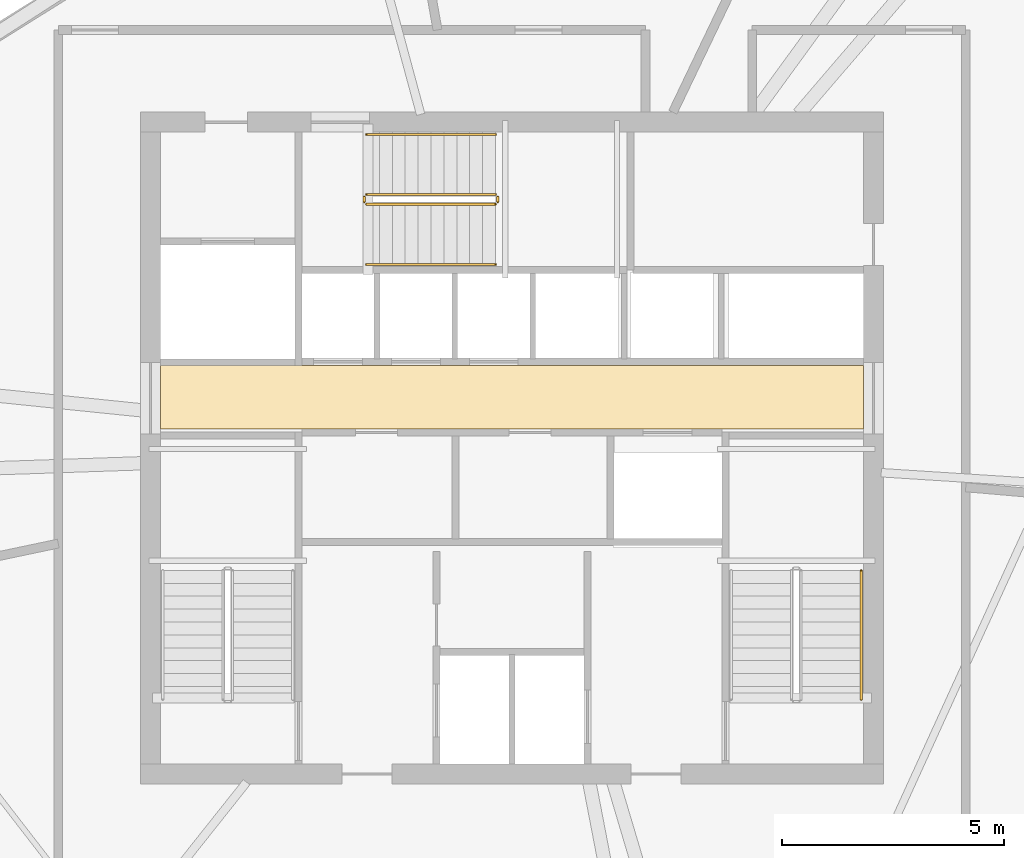
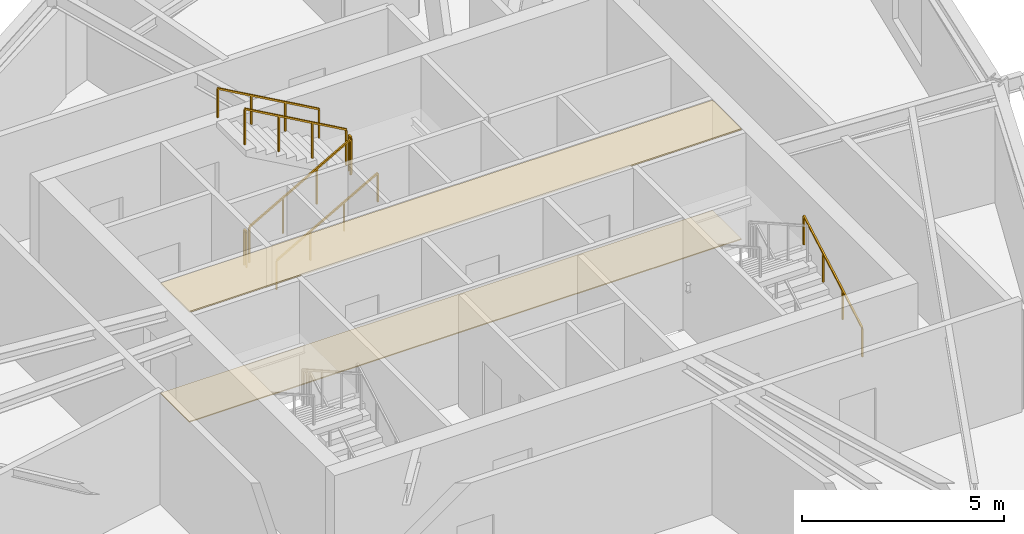
# One storey, part 12 of 13: 7 railings, 2 coverings.
"""IFC4 building model written with IfcOpenShell, lengths in metres."""

from ifc_helpers import new_model, si_unit, direction, frame, origin, origin_2d, place, context, subcontext, project, spatial, polyline, rectangle, outline, extrude, material, layer, layer_set, type_object, element, save


model = new_model("IFC4")

# Units and contexts
model_context = context("Model", 3, precision=1e-05, world=origin(), true_north=direction((0.0, 1.0)))
body_context = subcontext(model_context, "Body", "Model", "MODEL_VIEW")
ifc_project = project(units=[si_unit("LENGTHUNIT", "METRE"), si_unit("AREAUNIT", "SQUARE_METRE"), si_unit("VOLUMEUNIT", "CUBIC_METRE"), si_unit("PLANEANGLEUNIT", "RADIAN"), si_unit("MASSUNIT", "GRAM", prefix="KILO")], contexts=[model_context])

# Site, building, storey
site_placement = place(None, origin())
site = spatial("IfcSite", under=ifc_project, at=site_placement, CompositionType="ELEMENT")
building_placement = place(site_placement, origin())
building = spatial("IfcBuilding", under=site, at=building_placement, Name="Olszyna Solenne Hotel", CompositionType="ELEMENT")
storey_placement = place(building_placement, frame((0.0, 0.0, 241.699951171875)))
storey = spatial("IfcBuildingStorey", under=building, at=storey_placement, Name="L64", CompositionType="ELEMENT", Elevation=241.699951171875)

# Coverings
ifc_material_1 = material(Name="Mineral wool acoustic ceiling")
ifc_layer_1 = layer(ifc_material_1, 0.0400390625, Name="Mineral wool acoustic ceiling")
ifc_layer_set_1 = layer_set([ifc_layer_1], Name="Mineral wool acoustic ceiling")
covering_type_1 = type_object("IfcCoveringType", Name="CL-AC1", PredefinedType="CEILING", material=ifc_layer_set_1)
covering_1_placement = place(storey_placement, frame((0.0, 0.0, 3.320068359375)))
element("IfcCovering", 1, at=covering_1_placement, inside=storey, type_object=covering_type_1, Name="Lift lobby acoustic tile ceiling CL-L64-01", PredefinedType="CEILING", context=body_context, shape_type="SweptSolid", body=[
    extrude(outline(polyline([(30.10009765625, 27.030029296875), (45.89990234375, 27.030029296875), (45.89990234375, 28.4599609375), (30.10009765625, 28.4599609375), (30.10009765625, 27.030029296875)])), origin(), (0.0, 0.0, 1.0), 0.0400390625),
])
ifc_material_2 = material(Name="Ceramic floor tile")
ifc_layer_2 = layer(ifc_material_2, 0.030029296875, Name="Ceramic floor tile")
ifc_layer_set_2 = layer_set([ifc_layer_2], Name="Ceramic floor tile")
covering_type_2 = type_object("IfcCoveringType", Name="FL-TL1", PredefinedType="FLOORING", material=ifc_layer_set_2)
covering_2_placement = place(storey_placement, origin())
element("IfcCovering", 2, at=covering_2_placement, inside=storey, type_object=covering_type_2, Name="Lift lobby stoneware floor finish FLR-L64-01", PredefinedType="FLOORING", context=body_context, shape_type="SweptSolid", body=[
    extrude(outline(polyline([(30.10009765625, 27.030029296875), (45.89990234375, 27.030029296875), (45.89990234375, 28.4599609375), (30.10009765625, 28.4599609375), (30.10009765625, 27.030029296875)])), origin(), (0.0, 0.0, 1.0), 0.030029296875),
])

# Railings
ifc_material_3 = material(Name="Anodised bronze aluminium", Category="aluminium")
railing_type_1 = type_object("IfcRailingType", Name="GR-110", PredefinedType="BALUSTRADE", material=ifc_material_3)
railing_1_placement = place(storey_placement, frame((34.72998046875, 32.080078125, 0.16357421875)))
element("IfcRailing", 3, at=railing_1_placement, inside=storey, type_object=railing_type_1, Name="L64 ST3 stair guard 1", PredefinedType="BALUSTRADE", context=body_context, shape_type="SweptSolid", body=[
    extrude(rectangle(XDim=0.048095703125, YDim=0.048095703125, at=origin_2d()), frame((0.0, 0.0, 1.076171875), z_axis=(0.870897200241, 0.0, 0.491465224214), x_axis=(0.0, 1.0, 0.0)), (0.0, 0.0, 1.0), 3.329833984375),
    extrude(rectangle(XDim=0.0419921875, YDim=0.0419921875, at=origin_2d()), origin(), (0.0, 0.0, 1.0), 1.052001953125),
    extrude(rectangle(XDim=0.0419921875, YDim=0.0419921875, at=origin_2d()), frame((0.966552734375, 0.0, 0.54541015625)), (0.0, 0.0, 1.0), 1.052001953125),
    extrude(rectangle(XDim=0.0419921875, YDim=0.0419921875, at=origin_2d()), frame((1.933349609375, 0.0, 1.091064453125)), (0.0, 0.0, 1.0), 1.052001953125),
    extrude(rectangle(XDim=0.0419921875, YDim=0.0419921875, at=origin_2d()), frame((2.89990234375, 0.0, 1.636474609375)), (0.0, 0.0, 1.0), 1.052001953125),
])
railing_2_placement = place(storey_placement, frame((37.679931640625, 32.1298828125, 1.800048828125)))
element("IfcRailing", 4, at=railing_2_placement, inside=storey, type_object=railing_type_1, Name="L64 ST3 stair guard 2", PredefinedType="BALUSTRADE", context=body_context, shape_type="SweptSolid", body=[
    extrude(rectangle(XDim=0.048095703125, YDim=0.048095703125, at=origin_2d()), frame((0.0, 0.0, 1.076171875), z_axis=(0.0, 1.0, 0.0), x_axis=(-1.0, 0.0, 0.0)), (0.0, 0.0, 1.0), 0.1201171875),
    extrude(rectangle(XDim=0.0419921875, YDim=0.0419921875, at=origin_2d()), origin(), (0.0, 0.0, 1.0), 1.052001953125),
    extrude(rectangle(XDim=0.0419921875, YDim=0.0419921875, at=origin_2d()), frame((0.0, 0.1201171875, 0.0)), (0.0, 0.0, 1.0), 1.052001953125),
])
railing_3_placement = place(storey_placement, frame((37.6298828125, 32.300048828125, 1.963623046875)))
element("IfcRailing", 5, at=railing_3_placement, inside=storey, type_object=railing_type_1, Name="L64 ST3 stair guard 3", PredefinedType="BALUSTRADE", context=body_context, shape_type="SweptSolid", body=[
    extrude(rectangle(XDim=0.048095703125, YDim=0.048095703125, at=origin_2d()), frame((0.0, 0.0, 1.076171875), z_axis=(-0.870897200241, 0.0, 0.491465224214), x_axis=(0.0, -1.0, 0.0)), (0.0, 0.0, 1.0), 3.329833984375),
    extrude(rectangle(XDim=0.0419921875, YDim=0.0419921875, at=origin_2d()), origin(), (0.0, 0.0, 1.0), 1.052001953125),
    extrude(rectangle(XDim=0.0419921875, YDim=0.0419921875, at=origin_2d()), frame((-0.966552734375, 0.0, 0.54541015625)), (0.0, 0.0, 1.0), 1.052001953125),
    extrude(rectangle(XDim=0.0419921875, YDim=0.0419921875, at=origin_2d()), frame((-1.933349609375, 0.0, 1.091064453125)), (0.0, 0.0, 1.0), 1.052001953125),
    extrude(rectangle(XDim=0.0419921875, YDim=0.0419921875, at=origin_2d()), frame((-2.89990234375, 0.0, 1.636474609375)), (0.0, 0.0, 1.0), 1.052001953125),
])
railing_4_placement = place(storey_placement, frame((34.679931640625, 32.1298828125, 0.0)))
element("IfcRailing", 6, at=railing_4_placement, inside=storey, type_object=railing_type_1, Name="L64 ST3 stair guard 4", PredefinedType="BALUSTRADE", context=body_context, shape_type="SweptSolid", body=[
    extrude(rectangle(XDim=0.048095703125, YDim=0.048095703125, at=origin_2d()), frame((0.0, 0.0, 1.076171875), z_axis=(0.0, 1.0, 0.0), x_axis=(-1.0, 0.0, 0.0)), (0.0, 0.0, 1.0), 0.1201171875),
    extrude(rectangle(XDim=0.0419921875, YDim=0.0419921875, at=origin_2d()), origin(), (0.0, 0.0, 1.0), 1.052001953125),
    extrude(rectangle(XDim=0.0419921875, YDim=0.0419921875, at=origin_2d()), frame((0.0, 0.1201171875, 0.0)), (0.0, 0.0, 1.0), 1.052001953125),
])
ifc_material_4 = material(Name="Steel S355J2", Category="steel")
railing_type_2 = type_object("IfcRailingType", Name="HR-090", PredefinedType="HANDRAIL", material=ifc_material_4)
railing_5_placement = place(storey_placement, frame((45.85009765625, 20.949951171875, 0.16357421875)))
element("IfcRailing", 7, at=railing_5_placement, inside=storey, type_object=railing_type_2, Name="L64 ST2 stair handrail 1", PredefinedType="HANDRAIL", context=body_context, shape_type="SweptSolid", body=[
    extrude(rectangle(XDim=0.048095703125, YDim=0.048095703125, at=origin_2d()), frame((0.0, 0.0, 0.8759765625), z_axis=(0.0, 0.870914908162, 0.491433843708), x_axis=(-1.0, 0.0, 0.0)), (0.0, 0.0, 1.0), 3.330078125),
    extrude(rectangle(XDim=0.0419921875, YDim=0.0419921875, at=origin_2d()), origin(), (0.0, 0.0, 1.0), 0.851806640625),
    extrude(rectangle(XDim=0.0419921875, YDim=0.0419921875, at=origin_2d()), frame((0.0, 0.966796875, 0.54541015625)), (0.0, 0.0, 1.0), 0.851806640625),
    extrude(rectangle(XDim=0.0419921875, YDim=0.0419921875, at=origin_2d()), frame((0.0, 1.933349609375, 1.091064453125)), (0.0, 0.0, 1.0), 0.851806640625),
    extrude(rectangle(XDim=0.0419921875, YDim=0.0419921875, at=origin_2d()), frame((0.0, 2.900146484375, 1.636474609375)), (0.0, 0.0, 1.0), 0.851806640625),
])
railing_6_placement = place(storey_placement, frame((34.72998046875, 30.72998046875, 0.16357421875)))
element("IfcRailing", 8, at=railing_6_placement, inside=storey, type_object=railing_type_2, Name="L64 ST3 stair handrail 1", PredefinedType="HANDRAIL", context=body_context, shape_type="SweptSolid", body=[
    extrude(rectangle(XDim=0.048095703125, YDim=0.048095703125, at=origin_2d()), frame((0.0, 0.0, 0.8759765625), z_axis=(0.870897200241, 0.0, 0.491465224214), x_axis=(0.0, 1.0, 0.0)), (0.0, 0.0, 1.0), 3.329833984375),
    extrude(rectangle(XDim=0.0419921875, YDim=0.0419921875, at=origin_2d()), origin(), (0.0, 0.0, 1.0), 0.851806640625),
    extrude(rectangle(XDim=0.0419921875, YDim=0.0419921875, at=origin_2d()), frame((0.966552734375, 0.0, 0.54541015625)), (0.0, 0.0, 1.0), 0.851806640625),
    extrude(rectangle(XDim=0.0419921875, YDim=0.0419921875, at=origin_2d()), frame((1.933349609375, 0.0, 1.091064453125)), (0.0, 0.0, 1.0), 0.851806640625),
    extrude(rectangle(XDim=0.0419921875, YDim=0.0419921875, at=origin_2d()), frame((2.89990234375, 0.0, 1.636474609375)), (0.0, 0.0, 1.0), 0.851806640625),
])
railing_7_placement = place(storey_placement, frame((37.6298828125, 33.64990234375, 1.963623046875)))
element("IfcRailing", 9, at=railing_7_placement, inside=storey, type_object=railing_type_2, Name="L64 ST3 stair handrail 2", PredefinedType="HANDRAIL", context=body_context, shape_type="SweptSolid", body=[
    extrude(rectangle(XDim=0.048095703125, YDim=0.048095703125, at=origin_2d()), frame((0.0, 0.0, 0.8759765625), z_axis=(-0.870897200241, 0.0, 0.491465224214), x_axis=(0.0, -1.0, 0.0)), (0.0, 0.0, 1.0), 3.329833984375),
    extrude(rectangle(XDim=0.0419921875, YDim=0.0419921875, at=origin_2d()), origin(), (0.0, 0.0, 1.0), 0.851806640625),
    extrude(rectangle(XDim=0.0419921875, YDim=0.0419921875, at=origin_2d()), frame((-0.966552734375, 0.0, 0.54541015625)), (0.0, 0.0, 1.0), 0.851806640625),
    extrude(rectangle(XDim=0.0419921875, YDim=0.0419921875, at=origin_2d()), frame((-1.933349609375, 0.0, 1.091064453125)), (0.0, 0.0, 1.0), 0.851806640625),
    extrude(rectangle(XDim=0.0419921875, YDim=0.0419921875, at=origin_2d()), frame((-2.89990234375, 0.0, 1.636474609375)), (0.0, 0.0, 1.0), 0.851806640625),
])

save(model, "model.ifc")
